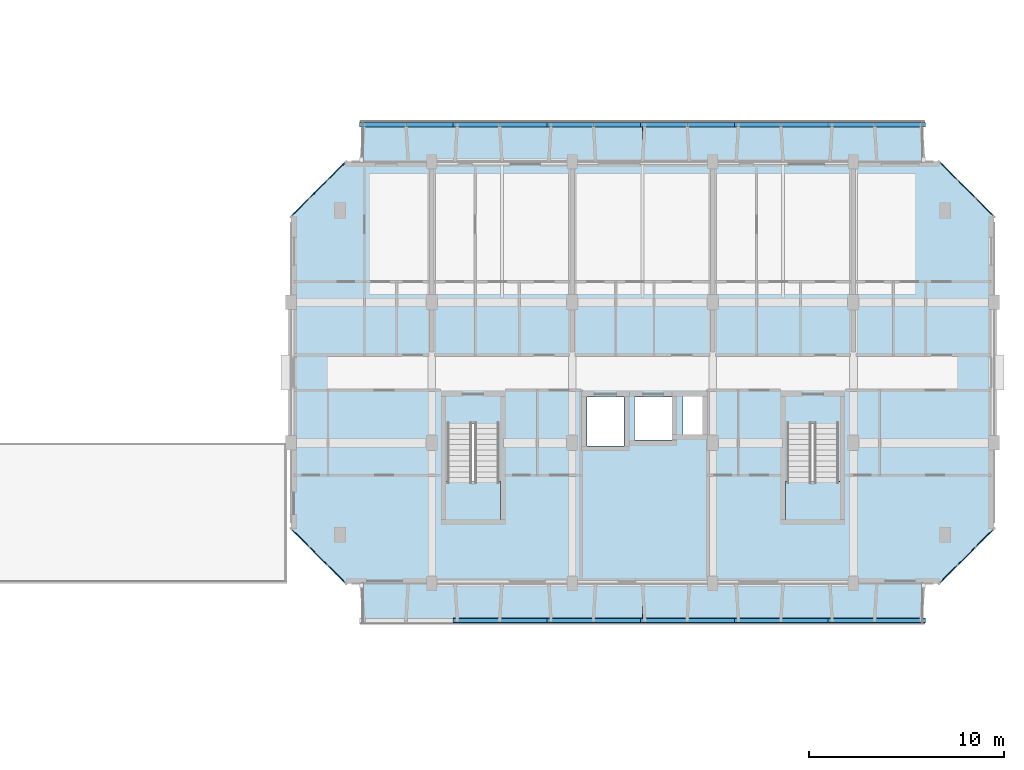
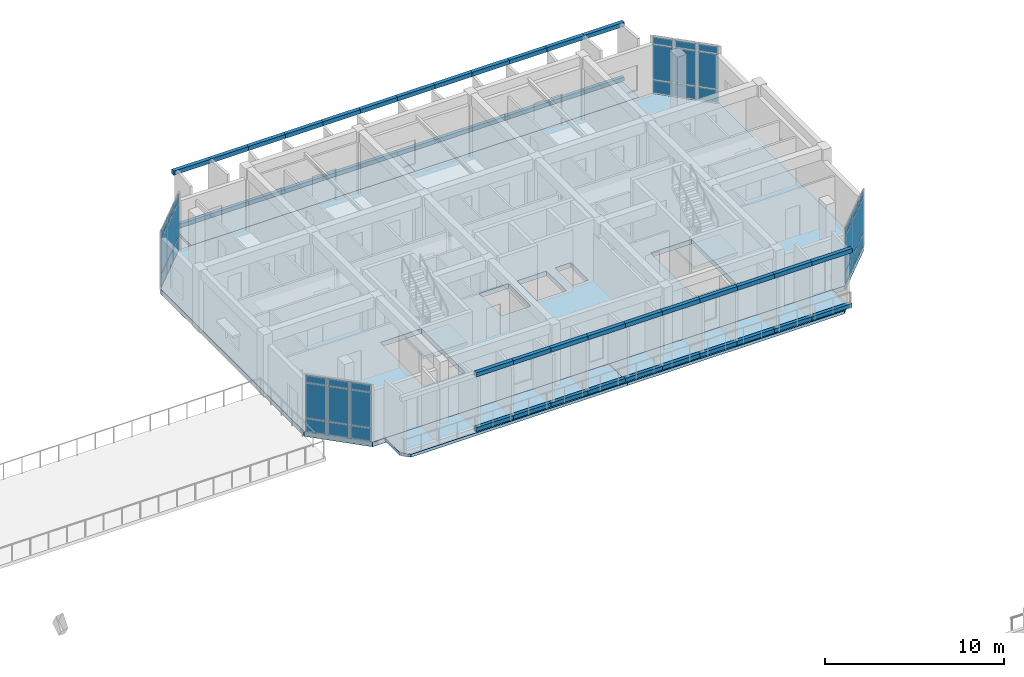
# One storey, part 41 of 85: 80 plates, 7 slabs, 6 elements without a shape of their own.
"""IFC4 building model written with IfcOpenShell, lengths in metres."""

from ifc_helpers import new_model, si_unit, direction, frame, origin, origin_2d, place, context, subcontext, project, spatial, polyline, rectangle, outline, extrude, material, layer, layer_set, type_object, element, aggregate, save


model = new_model("IFC4")

# Units and contexts
model_context = context("Model", 3, precision=1e-05, world=origin(), true_north=direction((0.0, 1.0)))
body_context = subcontext(model_context, "Body", "Model", "MODEL_VIEW")
ifc_project = project(units=[si_unit("LENGTHUNIT", "METRE"), si_unit("AREAUNIT", "SQUARE_METRE"), si_unit("VOLUMEUNIT", "CUBIC_METRE"), si_unit("PLANEANGLEUNIT", "RADIAN"), si_unit("MASSUNIT", "GRAM", prefix="KILO")], contexts=[model_context])

# Site, building, storey
site_placement = place(None, origin())
site = spatial("IfcSite", under=ifc_project, at=site_placement, CompositionType="ELEMENT")
building_placement = place(site_placement, origin())
building = spatial("IfcBuilding", under=site, at=building_placement, Name="Ochrevale Crest", CompositionType="ELEMENT")
storey_placement = place(building_placement, frame((0.0, 0.0, 4.5)))
storey = spatial("IfcBuildingStorey", under=building, at=storey_placement, Name="L01", CompositionType="ELEMENT", Elevation=4.5)

# Curtain wall, plates
ifc_material_1 = material(Name="Anodised aluminium 6063-T5", Category="aluminium")
ifc_layer_1 = layer(ifc_material_1, 0.14990234375)
ifc_layer_set_1 = layer_set([ifc_layer_1], Name="Anodised aluminium 6063-T5")
curtain_wall_type = type_object("IfcCurtainWallType", Name="CW-WG-360x385", PredefinedType="NOTDEFINED", material=ifc_layer_set_1)
curtain_wall_1_placement = place(storey_placement, origin())
curtain_wall_1 = element("IfcCurtainWall", 1, at=curtain_wall_1_placement, inside=storey, type_object=curtain_wall_type, Name="Block D L01 chamfered corner wintergarden curtain wall 2", PredefinedType="NOTDEFINED")
ifc_material_2 = material(Name="Acoustic laminated low-E insulated glass unit", Category="glass")
ifc_layer_2 = layer(ifc_material_2, 0.0380859375)
ifc_layer_set_2 = layer_set([ifc_layer_2], Name="Acoustic laminated low-E insulated glass unit")
plate_type_1 = type_object("IfcPlateType", Name="CW-PNL-IGU38", PredefinedType="CURTAIN_PANEL", material=ifc_layer_set_2)
plate_1_placement = place(storey_placement, frame((163.280029296875, 72.47998046875, 0.06005859375), z_axis=(0.0, 0.0, 1.0), x_axis=(0.707106781187, 0.707106781187, 0.0)))
plate_1 = element("IfcPlate", 2, at=plate_1_placement, type_object=plate_type_1, Name="CW20 panel 1.1", PredefinedType="CURTAIN_PANEL", context=body_context, shape_type="SweptSolid", body=[
    extrude(rectangle(XDim=1.20751953125, YDim=0.0380859375, at=origin_2d()), origin(), (0.0, 0.0, 1.0), 0.860107421875),
])
plate_2_placement = place(storey_placement, frame((163.280029296875, 72.47998046875, 0.97998046875), z_axis=(0.0, 0.0, 1.0), x_axis=(0.707106781187, 0.707106781187, 0.0)))
plate_2 = element("IfcPlate", 3, at=plate_2_placement, type_object=plate_type_1, Name="CW20 panel 1.2", PredefinedType="CURTAIN_PANEL", context=body_context, shape_type="SweptSolid", body=[
    extrude(rectangle(XDim=1.20751953125, YDim=0.0380859375, at=origin_2d()), origin(), (0.0, 0.0, 1.0), 2.364990234375),
])
plate_3_placement = place(storey_placement, frame((163.280029296875, 72.47998046875, 3.405029296875), z_axis=(0.0, 0.0, 1.0), x_axis=(0.707106781187, 0.707106781187, 0.0)))
plate_3 = element("IfcPlate", 4, at=plate_3_placement, type_object=plate_type_1, Name="CW20 panel 1.3", PredefinedType="CURTAIN_PANEL", context=body_context, shape_type="SweptSolid", body=[
    extrude(rectangle(XDim=1.20751953125, YDim=0.0380859375, at=origin_2d()), origin(), (0.0, 0.0, 1.0), 0.4599609375),
])
plate_4_placement = place(storey_placement, frame((164.199951171875, 73.39990234375, 0.06005859375), z_axis=(0.0, 0.0, 1.0), x_axis=(0.707106781187, 0.707106781187, 0.0)))
plate_4 = element("IfcPlate", 5, at=plate_4_placement, type_object=plate_type_1, Name="CW20 panel 2.1", PredefinedType="CURTAIN_PANEL", context=body_context, shape_type="SweptSolid", body=[
    extrude(rectangle(XDim=1.244873046875, YDim=0.0380859375, at=origin_2d()), origin(), (0.0, 0.0, 1.0), 0.860107421875),
])
plate_5_placement = place(storey_placement, frame((164.199951171875, 73.39990234375, 0.97998046875), z_axis=(0.0, 0.0, 1.0), x_axis=(0.707106781187, 0.707106781187, 0.0)))
plate_5 = element("IfcPlate", 6, at=plate_5_placement, type_object=plate_type_1, Name="CW20 panel 2.2", PredefinedType="CURTAIN_PANEL", context=body_context, shape_type="SweptSolid", body=[
    extrude(rectangle(XDim=1.244873046875, YDim=0.0380859375, at=origin_2d()), origin(), (0.0, 0.0, 1.0), 2.364990234375),
])
plate_6_placement = place(storey_placement, frame((164.199951171875, 73.39990234375, 3.405029296875), z_axis=(0.0, 0.0, 1.0), x_axis=(0.707106781187, 0.707106781187, 0.0)))
plate_6 = element("IfcPlate", 7, at=plate_6_placement, type_object=plate_type_1, Name="CW20 panel 2.3", PredefinedType="CURTAIN_PANEL", context=body_context, shape_type="SweptSolid", body=[
    extrude(rectangle(XDim=1.244873046875, YDim=0.0380859375, at=origin_2d()), origin(), (0.0, 0.0, 1.0), 0.4599609375),
])
plate_7_placement = place(storey_placement, frame((165.1201171875, 74.320068359375, 0.06005859375), z_axis=(0.0, 0.0, 1.0), x_axis=(0.707106781187, 0.707106781187, 0.0)))
plate_7 = element("IfcPlate", 8, at=plate_7_placement, type_object=plate_type_1, Name="CW20 panel 3.1", PredefinedType="CURTAIN_PANEL", context=body_context, shape_type="SweptSolid", body=[
    extrude(rectangle(XDim=1.20751953125, YDim=0.0380859375, at=origin_2d()), origin(), (0.0, 0.0, 1.0), 0.860107421875),
])
plate_8_placement = place(storey_placement, frame((165.1201171875, 74.320068359375, 0.97998046875), z_axis=(0.0, 0.0, 1.0), x_axis=(0.707106781187, 0.707106781187, 0.0)))
plate_8 = element("IfcPlate", 9, at=plate_8_placement, type_object=plate_type_1, Name="CW20 panel 3.2", PredefinedType="CURTAIN_PANEL", context=body_context, shape_type="SweptSolid", body=[
    extrude(rectangle(XDim=1.20751953125, YDim=0.0380859375, at=origin_2d()), origin(), (0.0, 0.0, 1.0), 2.364990234375),
])
plate_9_placement = place(storey_placement, frame((165.1201171875, 74.320068359375, 3.405029296875), z_axis=(0.0, 0.0, 1.0), x_axis=(0.707106781187, 0.707106781187, 0.0)))
plate_9 = element("IfcPlate", 10, at=plate_9_placement, type_object=plate_type_1, Name="CW20 panel 3.3", PredefinedType="CURTAIN_PANEL", context=body_context, shape_type="SweptSolid", body=[
    extrude(rectangle(XDim=1.20751953125, YDim=0.0380859375, at=origin_2d()), origin(), (0.0, 0.0, 1.0), 0.4599609375),
])
aggregate(curtain_wall_1, [plate_1, plate_2, plate_3, plate_4, plate_5, plate_6, plate_7, plate_8, plate_9])

curtain_wall_2_placement = place(storey_placement, origin())
curtain_wall_2 = element("IfcCurtainWall", 11, at=curtain_wall_2_placement, inside=storey, type_object=curtain_wall_type, Name="Block D L01 chamfered corner wintergarden curtain wall 4", PredefinedType="NOTDEFINED")
plate_10_placement = place(storey_placement, frame((165.1201171875, 91.280029296875, 0.06005859375), z_axis=(0.0, 0.0, 1.0), x_axis=(-0.707106781187, 0.707106781187, 0.0)))
plate_10 = element("IfcPlate", 12, at=plate_10_placement, type_object=plate_type_1, Name="CW20 panel 1.1", PredefinedType="CURTAIN_PANEL", context=body_context, shape_type="SweptSolid", body=[
    extrude(rectangle(XDim=1.20751953125, YDim=0.0380859375, at=origin_2d()), origin(), (0.0, 0.0, 1.0), 0.860107421875),
])
plate_11_placement = place(storey_placement, frame((165.1201171875, 91.280029296875, 0.97998046875), z_axis=(0.0, 0.0, 1.0), x_axis=(-0.707106781187, 0.707106781187, 0.0)))
plate_11 = element("IfcPlate", 13, at=plate_11_placement, type_object=plate_type_1, Name="CW20 panel 1.2", PredefinedType="CURTAIN_PANEL", context=body_context, shape_type="SweptSolid", body=[
    extrude(rectangle(XDim=1.20751953125, YDim=0.0380859375, at=origin_2d()), origin(), (0.0, 0.0, 1.0), 2.364990234375),
])
plate_12_placement = place(storey_placement, frame((165.1201171875, 91.280029296875, 3.405029296875), z_axis=(0.0, 0.0, 1.0), x_axis=(-0.707106781187, 0.707106781187, 0.0)))
plate_12 = element("IfcPlate", 14, at=plate_12_placement, type_object=plate_type_1, Name="CW20 panel 1.3", PredefinedType="CURTAIN_PANEL", context=body_context, shape_type="SweptSolid", body=[
    extrude(rectangle(XDim=1.20751953125, YDim=0.0380859375, at=origin_2d()), origin(), (0.0, 0.0, 1.0), 0.4599609375),
])
plate_13_placement = place(storey_placement, frame((164.199951171875, 92.199951171875, 0.06005859375), z_axis=(0.0, 0.0, 1.0), x_axis=(-0.707106781187, 0.707106781187, 0.0)))
plate_13 = element("IfcPlate", 15, at=plate_13_placement, type_object=plate_type_1, Name="CW20 panel 2.1", PredefinedType="CURTAIN_PANEL", context=body_context, shape_type="SweptSolid", body=[
    extrude(rectangle(XDim=1.244873046875, YDim=0.0380859375, at=origin_2d()), origin(), (0.0, 0.0, 1.0), 0.860107421875),
])
plate_14_placement = place(storey_placement, frame((164.199951171875, 92.199951171875, 0.97998046875), z_axis=(0.0, 0.0, 1.0), x_axis=(-0.707106781187, 0.707106781187, 0.0)))
plate_14 = element("IfcPlate", 16, at=plate_14_placement, type_object=plate_type_1, Name="CW20 panel 2.2", PredefinedType="CURTAIN_PANEL", context=body_context, shape_type="SweptSolid", body=[
    extrude(rectangle(XDim=1.244873046875, YDim=0.0380859375, at=origin_2d()), origin(), (0.0, 0.0, 1.0), 2.364990234375),
])
plate_15_placement = place(storey_placement, frame((164.199951171875, 92.199951171875, 3.405029296875), z_axis=(0.0, 0.0, 1.0), x_axis=(-0.707106781187, 0.707106781187, 0.0)))
plate_15 = element("IfcPlate", 17, at=plate_15_placement, type_object=plate_type_1, Name="CW20 panel 2.3", PredefinedType="CURTAIN_PANEL", context=body_context, shape_type="SweptSolid", body=[
    extrude(rectangle(XDim=1.244873046875, YDim=0.0380859375, at=origin_2d()), origin(), (0.0, 0.0, 1.0), 0.4599609375),
])
plate_16_placement = place(storey_placement, frame((163.280029296875, 93.1201171875, 0.06005859375), z_axis=(0.0, 0.0, 1.0), x_axis=(-0.707106781187, 0.707106781187, 0.0)))
plate_16 = element("IfcPlate", 18, at=plate_16_placement, type_object=plate_type_1, Name="CW20 panel 3.1", PredefinedType="CURTAIN_PANEL", context=body_context, shape_type="SweptSolid", body=[
    extrude(rectangle(XDim=1.20751953125, YDim=0.0380859375, at=origin_2d()), origin(), (0.0, 0.0, 1.0), 0.860107421875),
])
plate_17_placement = place(storey_placement, frame((163.280029296875, 93.1201171875, 0.97998046875), z_axis=(0.0, 0.0, 1.0), x_axis=(-0.707106781187, 0.707106781187, 0.0)))
plate_17 = element("IfcPlate", 19, at=plate_17_placement, type_object=plate_type_1, Name="CW20 panel 3.2", PredefinedType="CURTAIN_PANEL", context=body_context, shape_type="SweptSolid", body=[
    extrude(rectangle(XDim=1.20751953125, YDim=0.0380859375, at=origin_2d()), origin(), (0.0, 0.0, 1.0), 2.364990234375),
])
plate_18_placement = place(storey_placement, frame((163.280029296875, 93.1201171875, 3.405029296875), z_axis=(0.0, 0.0, 1.0), x_axis=(-0.707106781187, 0.707106781187, 0.0)))
plate_18 = element("IfcPlate", 20, at=plate_18_placement, type_object=plate_type_1, Name="CW20 panel 3.3", PredefinedType="CURTAIN_PANEL", context=body_context, shape_type="SweptSolid", body=[
    extrude(rectangle(XDim=1.20751953125, YDim=0.0380859375, at=origin_2d()), origin(), (0.0, 0.0, 1.0), 0.4599609375),
])
aggregate(curtain_wall_2, [plate_10, plate_11, plate_12, plate_13, plate_14, plate_15, plate_16, plate_17, plate_18])

curtain_wall_3_placement = place(storey_placement, origin())
curtain_wall_3 = element("IfcCurtainWall", 21, at=curtain_wall_3_placement, inside=storey, type_object=curtain_wall_type, Name="Block D L01 chamfered corner wintergarden curtain wall 6", PredefinedType="NOTDEFINED")
plate_19_placement = place(storey_placement, frame((131.920166015625, 93.1201171875, 0.06005859375), z_axis=(0.0, 0.0, 1.0), x_axis=(-0.707106781187, -0.707106781187, 0.0)))
plate_19 = element("IfcPlate", 22, at=plate_19_placement, type_object=plate_type_1, Name="CW20 panel 1.1", PredefinedType="CURTAIN_PANEL", context=body_context, shape_type="SweptSolid", body=[
    extrude(rectangle(XDim=1.20751953125, YDim=0.0380859375, at=origin_2d()), origin(), (0.0, 0.0, 1.0), 0.860107421875),
])
plate_20_placement = place(storey_placement, frame((131.920166015625, 93.1201171875, 0.97998046875), z_axis=(0.0, 0.0, 1.0), x_axis=(-0.707106781187, -0.707106781187, 0.0)))
plate_20 = element("IfcPlate", 23, at=plate_20_placement, type_object=plate_type_1, Name="CW20 panel 1.2", PredefinedType="CURTAIN_PANEL", context=body_context, shape_type="SweptSolid", body=[
    extrude(rectangle(XDim=1.20751953125, YDim=0.0380859375, at=origin_2d()), origin(), (0.0, 0.0, 1.0), 2.364990234375),
])
plate_21_placement = place(storey_placement, frame((131.920166015625, 93.1201171875, 3.405029296875), z_axis=(0.0, 0.0, 1.0), x_axis=(-0.707106781187, -0.707106781187, 0.0)))
plate_21 = element("IfcPlate", 24, at=plate_21_placement, type_object=plate_type_1, Name="CW20 panel 1.3", PredefinedType="CURTAIN_PANEL", context=body_context, shape_type="SweptSolid", body=[
    extrude(rectangle(XDim=1.20751953125, YDim=0.0380859375, at=origin_2d()), origin(), (0.0, 0.0, 1.0), 0.4599609375),
])
plate_22_placement = place(storey_placement, frame((131.0, 92.199951171875, 0.06005859375), z_axis=(0.0, 0.0, 1.0), x_axis=(-0.707106781187, -0.707106781187, 0.0)))
plate_22 = element("IfcPlate", 25, at=plate_22_placement, type_object=plate_type_1, Name="CW20 panel 2.1", PredefinedType="CURTAIN_PANEL", context=body_context, shape_type="SweptSolid", body=[
    extrude(rectangle(XDim=1.244873046875, YDim=0.0380859375, at=origin_2d()), origin(), (0.0, 0.0, 1.0), 0.860107421875),
])
plate_23_placement = place(storey_placement, frame((131.0, 92.199951171875, 0.97998046875), z_axis=(0.0, 0.0, 1.0), x_axis=(-0.707106781187, -0.707106781187, 0.0)))
plate_23 = element("IfcPlate", 26, at=plate_23_placement, type_object=plate_type_1, Name="CW20 panel 2.2", PredefinedType="CURTAIN_PANEL", context=body_context, shape_type="SweptSolid", body=[
    extrude(rectangle(XDim=1.244873046875, YDim=0.0380859375, at=origin_2d()), origin(), (0.0, 0.0, 1.0), 2.364990234375),
])
plate_24_placement = place(storey_placement, frame((131.0, 92.199951171875, 3.405029296875), z_axis=(0.0, 0.0, 1.0), x_axis=(-0.707106781187, -0.707106781187, 0.0)))
plate_24 = element("IfcPlate", 27, at=plate_24_placement, type_object=plate_type_1, Name="CW20 panel 2.3", PredefinedType="CURTAIN_PANEL", context=body_context, shape_type="SweptSolid", body=[
    extrude(rectangle(XDim=1.244873046875, YDim=0.0380859375, at=origin_2d()), origin(), (0.0, 0.0, 1.0), 0.4599609375),
])
plate_25_placement = place(storey_placement, frame((130.079833984375, 91.280029296875, 0.06005859375), z_axis=(0.0, 0.0, 1.0), x_axis=(-0.707106781187, -0.707106781187, 0.0)))
plate_25 = element("IfcPlate", 28, at=plate_25_placement, type_object=plate_type_1, Name="CW20 panel 3.1", PredefinedType="CURTAIN_PANEL", context=body_context, shape_type="SweptSolid", body=[
    extrude(rectangle(XDim=1.20751953125, YDim=0.0380859375, at=origin_2d()), origin(), (0.0, 0.0, 1.0), 0.860107421875),
])
plate_26_placement = place(storey_placement, frame((130.079833984375, 91.280029296875, 0.97998046875), z_axis=(0.0, 0.0, 1.0), x_axis=(-0.707106781187, -0.707106781187, 0.0)))
plate_26 = element("IfcPlate", 29, at=plate_26_placement, type_object=plate_type_1, Name="CW20 panel 3.2", PredefinedType="CURTAIN_PANEL", context=body_context, shape_type="SweptSolid", body=[
    extrude(rectangle(XDim=1.20751953125, YDim=0.0380859375, at=origin_2d()), origin(), (0.0, 0.0, 1.0), 2.364990234375),
])
plate_27_placement = place(storey_placement, frame((130.079833984375, 91.280029296875, 3.405029296875), z_axis=(0.0, 0.0, 1.0), x_axis=(-0.707106781187, -0.707106781187, 0.0)))
plate_27 = element("IfcPlate", 30, at=plate_27_placement, type_object=plate_type_1, Name="CW20 panel 3.3", PredefinedType="CURTAIN_PANEL", context=body_context, shape_type="SweptSolid", body=[
    extrude(rectangle(XDim=1.20751953125, YDim=0.0380859375, at=origin_2d()), origin(), (0.0, 0.0, 1.0), 0.4599609375),
])
aggregate(curtain_wall_3, [plate_19, plate_20, plate_21, plate_22, plate_23, plate_24, plate_25, plate_26, plate_27])

curtain_wall_4_placement = place(storey_placement, origin())
curtain_wall_4 = element("IfcCurtainWall", 31, at=curtain_wall_4_placement, inside=storey, type_object=curtain_wall_type, Name="Block D L01 chamfered corner wintergarden curtain wall 8", PredefinedType="NOTDEFINED")
plate_28_placement = place(storey_placement, frame((130.079833984375, 74.320068359375, 0.06005859375), z_axis=(0.0, 0.0, 1.0), x_axis=(0.707106781187, -0.707106781187, 0.0)))
plate_28 = element("IfcPlate", 32, at=plate_28_placement, type_object=plate_type_1, Name="CW20 panel 1.1", PredefinedType="CURTAIN_PANEL", context=body_context, shape_type="SweptSolid", body=[
    extrude(rectangle(XDim=1.20751953125, YDim=0.0380859375, at=origin_2d()), origin(), (0.0, 0.0, 1.0), 0.860107421875),
])
plate_29_placement = place(storey_placement, frame((130.079833984375, 74.320068359375, 0.97998046875), z_axis=(0.0, 0.0, 1.0), x_axis=(0.707106781187, -0.707106781187, 0.0)))
plate_29 = element("IfcPlate", 33, at=plate_29_placement, type_object=plate_type_1, Name="CW20 panel 1.2", PredefinedType="CURTAIN_PANEL", context=body_context, shape_type="SweptSolid", body=[
    extrude(rectangle(XDim=1.20751953125, YDim=0.0380859375, at=origin_2d()), origin(), (0.0, 0.0, 1.0), 2.364990234375),
])
plate_30_placement = place(storey_placement, frame((130.079833984375, 74.320068359375, 3.405029296875), z_axis=(0.0, 0.0, 1.0), x_axis=(0.707106781187, -0.707106781187, 0.0)))
plate_30 = element("IfcPlate", 34, at=plate_30_placement, type_object=plate_type_1, Name="CW20 panel 1.3", PredefinedType="CURTAIN_PANEL", context=body_context, shape_type="SweptSolid", body=[
    extrude(rectangle(XDim=1.20751953125, YDim=0.0380859375, at=origin_2d()), origin(), (0.0, 0.0, 1.0), 0.4599609375),
])
plate_31_placement = place(storey_placement, frame((131.0, 73.39990234375, 0.06005859375), z_axis=(0.0, 0.0, 1.0), x_axis=(0.707106781187, -0.707106781187, 0.0)))
plate_31 = element("IfcPlate", 35, at=plate_31_placement, type_object=plate_type_1, Name="CW20 panel 2.1", PredefinedType="CURTAIN_PANEL", context=body_context, shape_type="SweptSolid", body=[
    extrude(rectangle(XDim=1.244873046875, YDim=0.0380859375, at=origin_2d()), origin(), (0.0, 0.0, 1.0), 0.860107421875),
])
plate_32_placement = place(storey_placement, frame((131.0, 73.39990234375, 0.97998046875), z_axis=(0.0, 0.0, 1.0), x_axis=(0.707106781187, -0.707106781187, 0.0)))
plate_32 = element("IfcPlate", 36, at=plate_32_placement, type_object=plate_type_1, Name="CW20 panel 2.2", PredefinedType="CURTAIN_PANEL", context=body_context, shape_type="SweptSolid", body=[
    extrude(rectangle(XDim=1.244873046875, YDim=0.0380859375, at=origin_2d()), origin(), (0.0, 0.0, 1.0), 2.364990234375),
])
plate_33_placement = place(storey_placement, frame((131.0, 73.39990234375, 3.405029296875), z_axis=(0.0, 0.0, 1.0), x_axis=(0.707106781187, -0.707106781187, 0.0)))
plate_33 = element("IfcPlate", 37, at=plate_33_placement, type_object=plate_type_1, Name="CW20 panel 2.3", PredefinedType="CURTAIN_PANEL", context=body_context, shape_type="SweptSolid", body=[
    extrude(rectangle(XDim=1.244873046875, YDim=0.0380859375, at=origin_2d()), origin(), (0.0, 0.0, 1.0), 0.4599609375),
])
plate_34_placement = place(storey_placement, frame((131.920166015625, 72.47998046875, 0.06005859375), z_axis=(0.0, 0.0, 1.0), x_axis=(0.707106781187, -0.707106781187, 0.0)))
plate_34 = element("IfcPlate", 38, at=plate_34_placement, type_object=plate_type_1, Name="CW20 panel 3.1", PredefinedType="CURTAIN_PANEL", context=body_context, shape_type="SweptSolid", body=[
    extrude(rectangle(XDim=1.20751953125, YDim=0.0380859375, at=origin_2d()), origin(), (0.0, 0.0, 1.0), 0.860107421875),
])
plate_35_placement = place(storey_placement, frame((131.920166015625, 72.47998046875, 0.97998046875), z_axis=(0.0, 0.0, 1.0), x_axis=(0.707106781187, -0.707106781187, 0.0)))
plate_35 = element("IfcPlate", 39, at=plate_35_placement, type_object=plate_type_1, Name="CW20 panel 3.2", PredefinedType="CURTAIN_PANEL", context=body_context, shape_type="SweptSolid", body=[
    extrude(rectangle(XDim=1.20751953125, YDim=0.0380859375, at=origin_2d()), origin(), (0.0, 0.0, 1.0), 2.364990234375),
])
plate_36_placement = place(storey_placement, frame((131.920166015625, 72.47998046875, 3.405029296875), z_axis=(0.0, 0.0, 1.0), x_axis=(0.707106781187, -0.707106781187, 0.0)))
plate_36 = element("IfcPlate", 40, at=plate_36_placement, type_object=plate_type_1, Name="CW20 panel 3.3", PredefinedType="CURTAIN_PANEL", context=body_context, shape_type="SweptSolid", body=[
    extrude(rectangle(XDim=1.20751953125, YDim=0.0380859375, at=origin_2d()), origin(), (0.0, 0.0, 1.0), 0.4599609375),
])
aggregate(curtain_wall_4, [plate_28, plate_29, plate_30, plate_31, plate_32, plate_33, plate_34, plate_35, plate_36])

# Plates
ifc_material_3 = material(Name="Precast concrete C40/50", Category="concrete")
ifc_layer_3 = layer(ifc_material_3, 0.06005859375)
ifc_layer_set_3 = layer_set([ifc_layer_3], Name="Precast concrete C40/50")
plate_type_2 = type_object("IfcPlateType", Name="PLT-HC-HEAD-60", PredefinedType="USERDEFINED", material=ifc_layer_set_3)
for number, where, z_axis, x_axis, name in (
    (41, (139.199951171875, 70.10009765625, 3.72021484375), (0.0, 0.0, 1.0), (1.0, 0.0, 0.0), "Block D L01 S honeycomb arched lintel fascia 3"),
    (42, (141.60009765625, 70.10009765625, 3.72021484375), (0.0, 0.0, 1.0), (1.0, 0.0, 0.0), "Block D L01 S honeycomb arched lintel fascia 4"),
    (43, (144.0, 70.10009765625, 3.72021484375), (0.0, 0.0, 1.0), (1.0, 0.0, 0.0), "Block D L01 S honeycomb arched lintel fascia 5"),
    (44, (146.39990234375, 70.10009765625, 3.72021484375), (0.0, 0.0, 1.0), (1.0, 0.0, 0.0), "Block D L01 S honeycomb arched lintel fascia 6"),
    (45, (148.800048828125, 70.10009765625, 3.72021484375), (0.0, 0.0, 1.0), (1.0, 0.0, 0.0), "Block D L01 S honeycomb arched lintel fascia 7"),
    (46, (151.199951171875, 70.10009765625, 3.72021484375), (0.0, 0.0, 1.0), (1.0, 0.0, 0.0), "Block D L01 S honeycomb arched lintel fascia 8"),
    (47, (153.60009765625, 70.10009765625, 3.72021484375), (0.0, 0.0, 1.0), (1.0, 0.0, 0.0), "Block D L01 S honeycomb arched lintel fascia 9"),
    (48, (156.0, 70.10009765625, 3.72021484375), (0.0, 0.0, 1.0), (1.0, 0.0, 0.0), "Block D L01 S honeycomb arched lintel fascia 10"),
    (49, (158.39990234375, 70.10009765625, 3.72021484375), (0.0, 0.0, 1.0), (1.0, 0.0, 0.0), "Block D L01 S honeycomb arched lintel fascia 11"),
    (50, (160.800048828125, 70.10009765625, 3.72021484375), (0.0, 0.0, 1.0), (1.0, 0.0, 0.0), "Block D L01 S honeycomb arched lintel fascia 12"),
    (51, (134.39990234375, 95.5, 3.72021484375), (0.0, 0.0, 1.0), (1.0, 0.0, 0.0), "Block D L01 N honeycomb arched lintel fascia 1"),
    (52, (136.800048828125, 95.5, 3.72021484375), (0.0, 0.0, 1.0), (1.0, 0.0, 0.0), "Block D L01 N honeycomb arched lintel fascia 2"),
    (53, (139.199951171875, 95.5, 3.72021484375), (0.0, 0.0, 1.0), (1.0, 0.0, 0.0), "Block D L01 N honeycomb arched lintel fascia 3"),
    (54, (141.60009765625, 95.5, 3.72021484375), (0.0, 0.0, 1.0), (1.0, 0.0, 0.0), "Block D L01 N honeycomb arched lintel fascia 4"),
    (55, (144.0, 95.5, 3.72021484375), (0.0, 0.0, 1.0), (1.0, 0.0, 0.0), "Block D L01 N honeycomb arched lintel fascia 5"),
    (56, (146.39990234375, 95.5, 3.72021484375), (0.0, 0.0, 1.0), (1.0, 0.0, 0.0), "Block D L01 N honeycomb arched lintel fascia 6"),
    (57, (148.800048828125, 95.5, 3.72021484375), (0.0, 0.0, 1.0), (1.0, 0.0, 0.0), "Block D L01 N honeycomb arched lintel fascia 7"),
    (58, (151.199951171875, 95.5, 3.72021484375), (0.0, 0.0, 1.0), (1.0, 0.0, 0.0), "Block D L01 N honeycomb arched lintel fascia 8"),
    (59, (153.60009765625, 95.5, 3.72021484375), (0.0, 0.0, 1.0), (1.0, 0.0, 0.0), "Block D L01 N honeycomb arched lintel fascia 9"),
    (60, (156.0, 95.5, 3.72021484375), (0.0, 0.0, 1.0), (1.0, 0.0, 0.0), "Block D L01 N honeycomb arched lintel fascia 10"),
    (61, (158.39990234375, 95.5, 3.72021484375), (0.0, 0.0, 1.0), (1.0, 0.0, 0.0), "Block D L01 N honeycomb arched lintel fascia 11"),
    (62, (160.800048828125, 95.5, 3.72021484375), (0.0, 0.0, 1.0), (1.0, 0.0, 0.0), "Block D L01 N honeycomb arched lintel fascia 12"),
):
    element("IfcPlate", number, at=place(storey_placement, frame(where, z_axis=z_axis, x_axis=x_axis)), inside=storey, type_object=plate_type_2, Name=name, ObjectType="FACADE FASCIA PLATE", PredefinedType="USERDEFINED", context=body_context, shape_type="SweptSolid", body=[
        extrude(rectangle(XDim=2.60009765625, YDim=0.239990234375, at=origin_2d()), origin(), (0.0, 0.0, 1.0), 0.280029296875),
    ])
ifc_layer_4 = layer(ifc_material_3, 0.044921875)
ifc_layer_set_4 = layer_set([ifc_layer_4], Name="Precast concrete C40/50")
plate_type_3 = type_object("IfcPlateType", Name="PLT-HC-SILL-45", PredefinedType="USERDEFINED", material=ifc_layer_set_4)
for number, where, z_axis, x_axis, name in (
    (63, (139.199951171875, 70.10009765625, 0.0), (0.0, 0.0, 1.0), (1.0, 0.0, 0.0), "Block D L01 S honeycomb sill coping plate 3"),
    (64, (141.60009765625, 70.10009765625, 0.0), (0.0, 0.0, 1.0), (1.0, 0.0, 0.0), "Block D L01 S honeycomb sill coping plate 4"),
    (65, (144.0, 70.10009765625, 0.0), (0.0, 0.0, 1.0), (1.0, 0.0, 0.0), "Block D L01 S honeycomb sill coping plate 5"),
    (66, (146.39990234375, 70.10009765625, 0.0), (0.0, 0.0, 1.0), (1.0, 0.0, 0.0), "Block D L01 S honeycomb sill coping plate 6"),
    (67, (148.800048828125, 70.10009765625, 0.0), (0.0, 0.0, 1.0), (1.0, 0.0, 0.0), "Block D L01 S honeycomb sill coping plate 7"),
    (68, (151.199951171875, 70.10009765625, 0.0), (0.0, 0.0, 1.0), (1.0, 0.0, 0.0), "Block D L01 S honeycomb sill coping plate 8"),
    (69, (153.60009765625, 70.10009765625, 0.0), (0.0, 0.0, 1.0), (1.0, 0.0, 0.0), "Block D L01 S honeycomb sill coping plate 9"),
    (70, (156.0, 70.10009765625, 0.0), (0.0, 0.0, 1.0), (1.0, 0.0, 0.0), "Block D L01 S honeycomb sill coping plate 10"),
    (71, (158.39990234375, 70.10009765625, 0.0), (0.0, 0.0, 1.0), (1.0, 0.0, 0.0), "Block D L01 S honeycomb sill coping plate 11"),
    (72, (160.800048828125, 70.10009765625, 0.0), (0.0, 0.0, 1.0), (1.0, 0.0, 0.0), "Block D L01 S honeycomb sill coping plate 12"),
    (73, (134.39990234375, 95.5, 0.0), (0.0, 0.0, 1.0), (1.0, 0.0, 0.0), "Block D L01 N honeycomb sill coping plate 1"),
    (74, (136.800048828125, 95.5, 0.0), (0.0, 0.0, 1.0), (1.0, 0.0, 0.0), "Block D L01 N honeycomb sill coping plate 2"),
    (75, (139.199951171875, 95.5, 0.0), (0.0, 0.0, 1.0), (1.0, 0.0, 0.0), "Block D L01 N honeycomb sill coping plate 3"),
    (76, (141.60009765625, 95.5, 0.0), (0.0, 0.0, 1.0), (1.0, 0.0, 0.0), "Block D L01 N honeycomb sill coping plate 4"),
    (77, (144.0, 95.5, 0.0), (0.0, 0.0, 1.0), (1.0, 0.0, 0.0), "Block D L01 N honeycomb sill coping plate 5"),
    (78, (146.39990234375, 95.5, 0.0), (0.0, 0.0, 1.0), (1.0, 0.0, 0.0), "Block D L01 N honeycomb sill coping plate 6"),
    (79, (148.800048828125, 95.5, 0.0), (0.0, 0.0, 1.0), (1.0, 0.0, 0.0), "Block D L01 N honeycomb sill coping plate 7"),
    (80, (151.199951171875, 95.5, 0.0), (0.0, 0.0, 1.0), (1.0, 0.0, 0.0), "Block D L01 N honeycomb sill coping plate 8"),
    (81, (153.60009765625, 95.5, 0.0), (0.0, 0.0, 1.0), (1.0, 0.0, 0.0), "Block D L01 N honeycomb sill coping plate 9"),
    (82, (156.0, 95.5, 0.0), (0.0, 0.0, 1.0), (1.0, 0.0, 0.0), "Block D L01 N honeycomb sill coping plate 10"),
    (83, (158.39990234375, 95.5, 0.0), (0.0, 0.0, 1.0), (1.0, 0.0, 0.0), "Block D L01 N honeycomb sill coping plate 11"),
    (84, (160.800048828125, 95.5, 0.0), (0.0, 0.0, 1.0), (1.0, 0.0, 0.0), "Block D L01 N honeycomb sill coping plate 12"),
):
    element("IfcPlate", number, at=place(storey_placement, frame(where, z_axis=z_axis, x_axis=x_axis)), inside=storey, type_object=plate_type_3, Name=name, ObjectType="SILL COPING PLATE", PredefinedType="USERDEFINED", context=body_context, shape_type="SweptSolid", body=[
        extrude(rectangle(XDim=2.60009765625, YDim=0.219970703125, at=origin_2d()), origin(), (0.0, 0.0, 1.0), 0.260009765625),
    ])

# Slabs
ifc_layer_5 = layer(ifc_material_3, 0.199951171875)
ifc_layer_set_5 = layer_set([ifc_layer_5], Name="Precast concrete C40/50")
slab_type_1 = type_object("IfcSlabType", Name="SLB-BAL-200", PredefinedType="FLOOR", material=ifc_layer_set_5)
slab_1_placement = place(storey_placement, frame((0.0, 0.0, -0.199951171875)))
element("IfcSlab", 85, at=slab_1_placement, inside=storey, type_object=slab_type_1, Name="Block D L01 S1 precast loggia balcony slab", PredefinedType="FLOOR", context=body_context, shape_type="SweptSolid", body=[
    extrude(outline(polyline([(133.64990234375, 69.89990234375), (147.60009765625, 69.89990234375), (147.60009765625, 72.0), (133.199951171875, 72.0), (133.199951171875, 70.35009765625), (133.64990234375, 69.89990234375)])), origin(), (0.0, 0.0, 1.0), 0.199951171875),
])
slab_2_placement = place(storey_placement, frame((0.0, 0.0, -0.199951171875)))
element("IfcSlab", 86, at=slab_2_placement, inside=storey, type_object=slab_type_1, Name="Block D L01 S2 precast loggia balcony slab", PredefinedType="FLOOR", context=body_context, shape_type="SweptSolid", body=[
    extrude(outline(polyline([(147.60009765625, 69.89990234375), (161.550048828125, 69.89990234375), (162.0, 70.35009765625), (162.0, 72.0), (147.60009765625, 72.0), (147.60009765625, 69.89990234375)])), origin(), (0.0, 0.0, 1.0), 0.199951171875),
])
slab_3_placement = place(storey_placement, frame((0.0, 0.0, -0.199951171875)))
element("IfcSlab", 87, at=slab_3_placement, inside=storey, type_object=slab_type_1, Name="Block D L01 N1 precast loggia balcony slab", PredefinedType="FLOOR", context=body_context, shape_type="SweptSolid", body=[
    extrude(outline(polyline([(133.199951171875, 93.60009765625), (147.60009765625, 93.60009765625), (147.60009765625, 95.699951171875), (133.64990234375, 95.699951171875), (133.199951171875, 95.25), (133.199951171875, 93.60009765625)])), origin(), (0.0, 0.0, 1.0), 0.199951171875),
])
slab_4_placement = place(storey_placement, frame((0.0, 0.0, -0.199951171875)))
element("IfcSlab", 88, at=slab_4_placement, inside=storey, type_object=slab_type_1, Name="Block D L01 N2 precast loggia balcony slab", PredefinedType="FLOOR", context=body_context, shape_type="SweptSolid", body=[
    extrude(outline(polyline([(147.60009765625, 93.60009765625), (162.0, 93.60009765625), (162.0, 95.25), (161.550048828125, 95.699951171875), (147.60009765625, 95.699951171875), (147.60009765625, 93.60009765625)])), origin(), (0.0, 0.0, 1.0), 0.199951171875),
])
ifc_layer_6 = layer(ifc_material_3, 0.324951171875)
ifc_layer_set_6 = layer_set([ifc_layer_6], Name="Precast concrete C40/50")
slab_type_2 = type_object("IfcSlabType", Name="SLB-POD-325", PredefinedType="FLOOR", material=ifc_layer_set_6)
slab_5_placement = place(storey_placement, frame((0.0, 0.0, -0.324951171875)))
element("IfcSlab", 89, at=slab_5_placement, inside=storey, type_object=slab_type_2, Name="Block D L01 composite hollowcore floor slab", PredefinedType="FLOOR", context=body_context, shape_type="SweptSolid", body=[
    extrude(outline(polyline([(132.39990234375, 72.0), (162.800048828125, 72.0), (165.60009765625, 74.800048828125), (165.60009765625, 90.800048828125), (162.800048828125, 93.60009765625), (132.39990234375, 93.60009765625), (129.60009765625, 90.800048828125), (129.60009765625, 74.800048828125), (132.39990234375, 72.0)]), holes=[polyline([(137.60009765625, 80.175048828125), (137.60009765625, 75.27490234375), (140.25, 75.27490234375), (140.25, 80.175048828125), (137.60009765625, 80.175048828125)]), polyline([(155.0, 80.175048828125), (155.0, 75.27490234375), (157.64990234375, 75.27490234375), (157.64990234375, 80.175048828125), (155.0, 80.175048828125)]), polyline([(144.75, 79.050048828125), (146.64990234375, 79.050048828125), (146.64990234375, 81.550048828125), (144.75, 81.550048828125), (144.75, 79.050048828125)]), polyline([(147.199951171875, 79.35009765625), (149.10009765625, 79.35009765625), (149.10009765625, 81.550048828125), (147.199951171875, 81.550048828125), (147.199951171875, 79.35009765625)]), polyline([(149.669921875, 79.6201171875), (150.679931640625, 79.6201171875), (150.679931640625, 81.580078125), (149.669921875, 81.580078125), (149.669921875, 79.6201171875)])]), origin(), (0.0, 0.0, 1.0), 0.324951171875),
])

# Stair, slab
stair_type = type_object("IfcStairType", Name="ST-CORE-DOG", PredefinedType="HALF_TURN_STAIR", material=ifc_material_3)
stair_1_placement = place(storey_placement, origin())
stair_1 = element("IfcStair", 90, at=stair_1_placement, inside=storey, type_object=stair_type, Name="L01 Block D Fire Stair 1", PredefinedType="HALF_TURN_STAIR")
ifc_layer_7 = layer(ifc_material_3, 0.199951171875)
ifc_layer_set_7 = layer_set([ifc_layer_7], Name="Precast concrete C40/50")
slab_type_3 = type_object("IfcSlabType", Name="SLB-ST-LAND", PredefinedType="LANDING", material=ifc_layer_set_7)
slab_6_placement = place(storey_placement, frame((0.0, 0.0, 1.89990234375)))
slab_6 = element("IfcSlab", 91, at=slab_6_placement, type_object=slab_type_3, Name="ST-D1 landing 1", PredefinedType="LANDING", context=body_context, shape_type="SweptSolid", body=[
    extrude(outline(polyline([(137.52001953125, 77.22509765625), (137.52001953125, 75.195068359375), (140.330078125, 75.195068359375), (140.330078125, 77.22509765625), (137.52001953125, 77.22509765625)])), origin(), (0.0, 0.0, 1.0), 0.2001953125),
])
aggregate(stair_1, [slab_6])

stair_2_placement = place(storey_placement, origin())
stair_2 = element("IfcStair", 92, at=stair_2_placement, inside=storey, type_object=stair_type, Name="L01 Block D Fire Stair 2", PredefinedType="HALF_TURN_STAIR")
slab_7_placement = place(storey_placement, frame((0.0, 0.0, 1.89990234375)))
slab_7 = element("IfcSlab", 93, at=slab_7_placement, type_object=slab_type_3, Name="ST-D2 landing 1", PredefinedType="LANDING", context=body_context, shape_type="SweptSolid", body=[
    extrude(outline(polyline([(154.919921875, 77.22509765625), (154.919921875, 75.195068359375), (157.72998046875, 75.195068359375), (157.72998046875, 77.22509765625), (154.919921875, 77.22509765625)])), origin(), (0.0, 0.0, 1.0), 0.2001953125),
])
aggregate(stair_2, [slab_7])

save(model, "model.ifc")
